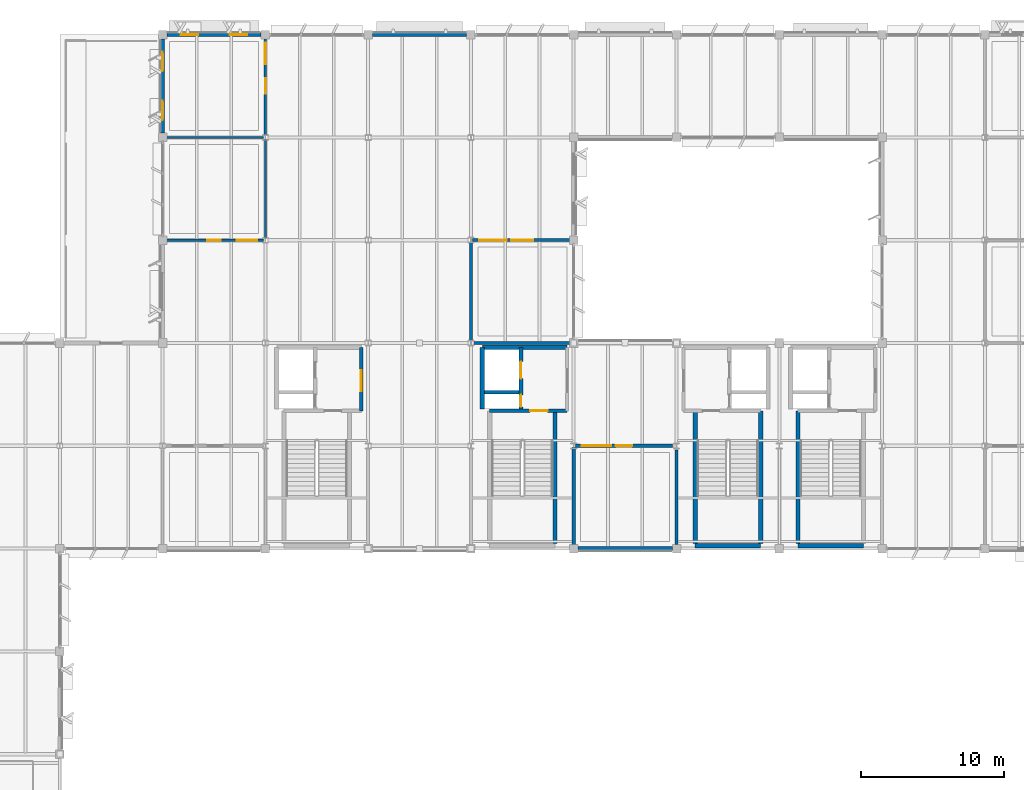
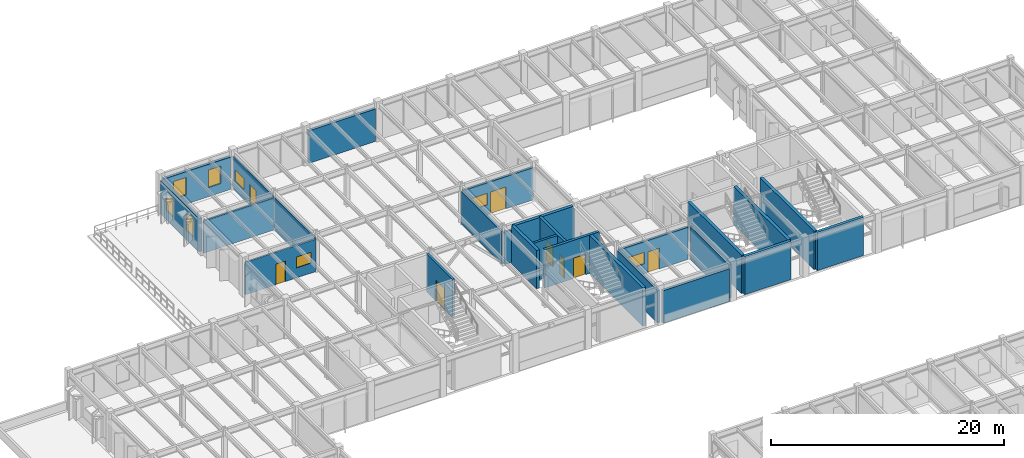
# One storey, part 40 of 85: 26 walls, 8 doors, 8 windows, 16 openings.
"""IFC4 building model written with IfcOpenShell, lengths in metres."""

from ifc_helpers import new_model, si_unit, direction, frame, frame_2d, origin, place, context, subcontext, project, spatial, rectangle, extrude, material, layer, layer_set, type_object, element, fill, save


model = new_model("IFC4")

# Units and contexts
model_context = context("Model", 3, precision=1e-05, world=origin(), true_north=direction((0.0, 1.0)))
body_context = subcontext(model_context, "Body", "Model", "MODEL_VIEW")
ifc_project = project(units=[si_unit("LENGTHUNIT", "METRE"), si_unit("AREAUNIT", "SQUARE_METRE"), si_unit("VOLUMEUNIT", "CUBIC_METRE"), si_unit("PLANEANGLEUNIT", "RADIAN"), si_unit("MASSUNIT", "GRAM", prefix="KILO")], contexts=[model_context])

# Site, building, storey
site_placement = place(None, origin())
site = spatial("IfcSite", under=ifc_project, at=site_placement, CompositionType="ELEMENT")
building_placement = place(site_placement, origin())
building = spatial("IfcBuilding", under=site, at=building_placement, Name="Sillqori Civic Hall", CompositionType="ELEMENT")
storey_placement = place(building_placement, frame((0.0, 0.0, 9.89990234375)))
storey = spatial("IfcBuildingStorey", under=building, at=storey_placement, Name="L03", CompositionType="ELEMENT", Elevation=9.89990234375)

# Wall, opening, door
ifc_material_1 = material(Name="Concrete C35/45 (H35)", Category="concrete")
ifc_layer_1 = layer(ifc_material_1, 0.219970703125)
ifc_layer_set_1 = layer_set([ifc_layer_1], Name="Concrete C35/45 (H35)")
wall_type_1 = type_object("IfcWallType", Name="CW-SHR-220", PredefinedType="SHEAR", material=ifc_layer_set_1)
wall_1_placement = place(storey_placement, frame((57.1201171875, 93.300048828125, 0.0), z_axis=(0.0, 0.0, 1.0), x_axis=(0.0, -1.0, 0.0)))
wall_1 = element("IfcWall", 1, at=wall_1_placement, inside=storey, type_object=wall_type_1, Name="L03 C5 firefighting lobby enclosure wall", PredefinedType="SHEAR", context=body_context, shape_type="SweptSolid", body=[
    extrude(rectangle(XDim=4.449951171875, YDim=0.219970703125, at=frame_2d((2.22509765625, 0.0))), origin(), (0.0, 0.0, 1.0), 4.02001953125),
])
opening_1_placement = place(wall_1_placement, frame((1.625, 0.0, 0.0)))
opening_1 = element("IfcOpeningElement", 2, at=opening_1_placement, cuts=wall_1, Name="Opening FD-03", PredefinedType="OPENING", context=body_context, shape_type="SweptSolid", body=[
    extrude(rectangle(XDim=1.449951171875, YDim=2.199951171875, at=frame_2d((0.72509765625, 1.10009765625))), frame((0.0, 0.119873046875, 0.0), z_axis=(0.0, -1.0, 0.0), x_axis=(1.0, 0.0, 0.0)), (0.0, 0.0, 1.0), 0.239990234375),
])
ifc_material_2 = material(Name="Double-Leaf Smoke-Seal Lobby Door", Category="steel")
door_type_1 = type_object("IfcDoorType", Name="FDR-LOB-145X220", OperationType="NOTDEFINED", PredefinedType="DOOR", material=ifc_material_2)
door_1_placement = place(opening_1_placement, origin())
door_1 = element("IfcDoor", 3, at=door_1_placement, inside=storey, type_object=door_type_1, Name="L03 C5 firefighting lobby exit door", OperationType="DOUBLE_DOOR_SINGLE_SWING", OverallHeight=2.199951171875, OverallWidth=1.449951171875, PredefinedType="DOOR", context=body_context, shape_type="SweptSolid", body=[
    extrude(rectangle(XDim=1.449951171875, YDim=2.199951171875, at=frame_2d((0.72509765625, 1.10009765625))), frame((0.0, 0.02490234375, 0.0), z_axis=(0.0, -1.0, 0.0), x_axis=(1.0, 0.0, 0.0)), (0.0, 0.0, 1.0), 0.050048828125),
])
fill(opening_1, door_1)

# Wall
wall_2_placement = place(storey_placement, frame((65.75, 90.14990234375, 0.0), z_axis=(0.0, 0.0, 1.0), x_axis=(1.0, 0.0, 0.0)))
element("IfcWall", 4, at=wall_2_placement, inside=storey, type_object=wall_type_1, Name="L03 C6 Lift-riser divider wall", PredefinedType="SHEAR", context=body_context, shape_type="SweptSolid", body=[
    extrude(rectangle(XDim=2.39990234375, YDim=0.219970703125, at=frame_2d((1.199951171875, 0.0))), origin(), (0.0, 0.0, 1.0), 4.02001953125),
])

# Wall, opening, door
ifc_layer_2 = layer(ifc_material_1, 0.260009765625)
ifc_layer_set_2 = layer_set([ifc_layer_2], Name="Concrete C35/45 (H35)")
wall_type_2 = type_object("IfcWallType", Name="CW-SHR-260", PredefinedType="SHEAR", material=ifc_layer_set_2)
wall_3_placement = place(storey_placement, frame((66.110107421875, 88.85009765625, 0.0), z_axis=(0.0, 0.0, 1.0), x_axis=(1.0, 0.0, 0.0)))
wall_3 = element("IfcWall", 5, at=wall_3_placement, inside=storey, type_object=wall_type_2, Name="L03 C6 Stair-lobby fire wall", PredefinedType="SHEAR", context=body_context, shape_type="SweptSolid", body=[
    extrude(rectangle(XDim=5.409912109375, YDim=0.260009765625, at=frame_2d((2.705078125, 0.0))), origin(), (0.0, 0.0, 1.0), 4.02001953125),
])
opening_2_placement = place(wall_3_placement, frame((2.840087890625, 0.0, 0.0)))
opening_2 = element("IfcOpeningElement", 6, at=opening_2_placement, cuts=wall_3, Name="Opening FD-02", PredefinedType="OPENING", context=body_context, shape_type="SweptSolid", body=[
    extrude(rectangle(XDim=1.219970703125, YDim=2.14990234375, at=frame_2d((0.60986328125, 1.074951171875))), frame((0.0, 0.139892578125, 0.0), z_axis=(0.0, -1.0, 0.0), x_axis=(1.0, 0.0, 0.0)), (0.0, 0.0, 1.0), 0.280029296875),
])
ifc_material_3 = material(Name="Galvanized Steel Fire Door FD120S", Category="steel")
door_type_2 = type_object("IfcDoorType", Name="FDR-STR-122X215", OperationType="NOTDEFINED", PredefinedType="DOOR", material=ifc_material_3)
door_2_placement = place(opening_2_placement, origin())
door_2 = element("IfcDoor", 7, at=door_2_placement, inside=storey, type_object=door_type_2, Name="L03 stair ST-06 fire door", OperationType="SINGLE_SWING_RIGHT", OverallHeight=2.14990234375, OverallWidth=1.219970703125, PredefinedType="DOOR", context=body_context, shape_type="SweptSolid", body=[
    extrude(rectangle(XDim=1.219970703125, YDim=2.14990234375, at=frame_2d((0.60986328125, 1.074951171875))), frame((0.0, 0.02490234375, 0.0), z_axis=(0.0, -1.0, 0.0), x_axis=(1.0, 0.0, 0.0)), (0.0, 0.0, 1.0), 0.050048828125),
])
fill(opening_2, door_2)

# Wall, openings, doors
wall_4_placement = place(storey_placement, frame((68.300048828125, 93.300048828125, 0.0), z_axis=(0.0, 0.0, 1.0), x_axis=(0.0, -1.0, 0.0)))
wall_4 = element("IfcWall", 8, at=wall_4_placement, inside=storey, type_object=wall_type_2, Name="L03 C6 Lift landing & riser front wall", PredefinedType="SHEAR", context=body_context, shape_type="SweptSolid", body=[
    extrude(rectangle(XDim=4.320068359375, YDim=0.260009765625, at=frame_2d((2.16015625, 0.0))), origin(), (0.0, 0.0, 1.0), 4.02001953125),
])
opening_3_placement = place(wall_4_placement, frame((1.0, 0.0, 0.0)))
opening_3 = element("IfcOpeningElement", 9, at=opening_3_placement, cuts=wall_4, Name="Opening LD-02", PredefinedType="OPENING", context=body_context, shape_type="SweptSolid", body=[
    extrude(rectangle(XDim=1.199951171875, YDim=2.14990234375, at=frame_2d((0.60009765625, 1.074951171875))), frame((0.0, 0.139892578125, 0.0), z_axis=(0.0, -1.0, 0.0), x_axis=(1.0, 0.0, 0.0)), (0.0, 0.0, 1.0), 0.280029296875),
])
opening_4_placement = place(wall_4_placement, frame((3.324951171875, 0.0, 0.0)))
opening_4 = element("IfcOpeningElement", 10, at=opening_4_placement, cuts=wall_4, Name="Opening FD-05", PredefinedType="OPENING", context=body_context, shape_type="SweptSolid", body=[
    extrude(rectangle(XDim=0.85009765625, YDim=2.050048828125, at=frame_2d((0.425048828125, 1.02490234375))), frame((0.0, 0.139892578125, 0.0), z_axis=(0.0, -1.0, 0.0), x_axis=(1.0, 0.0, 0.0)), (0.0, 0.0, 1.0), 0.280029296875),
])
ifc_material_4 = material(Name="Steel Riser Access Fire Door", Category="steel")
door_type_3 = type_object("IfcDoorType", Name="FDR-RSR-085X205", OperationType="NOTDEFINED", PredefinedType="DOOR", material=ifc_material_4)
door_3_placement = place(opening_4_placement, origin())
door_3 = element("IfcDoor", 11, at=door_3_placement, inside=storey, type_object=door_type_3, Name="L03 MEP riser C6 fire access door", OperationType="SINGLE_SWING_LEFT", OverallHeight=2.050048828125, OverallWidth=0.85009765625, PredefinedType="DOOR", context=body_context, shape_type="SweptSolid", body=[
    extrude(rectangle(XDim=0.85009765625, YDim=2.050048828125, at=frame_2d((0.425048828125, 1.02490234375))), frame((0.0, 0.02490234375, 0.0), z_axis=(0.0, -1.0, 0.0), x_axis=(1.0, 0.0, 0.0)), (0.0, 0.0, 1.0), 0.050048828125),
])
fill(opening_4, door_3)
ifc_material_5 = material(Name="Firefighting Lift Landing Door", Category="steel")
door_type_4 = type_object("IfcDoorType", Name="LDR-FIRE-120X215", OperationType="NOTDEFINED", PredefinedType="DOOR", material=ifc_material_5)
door_4_placement = place(opening_3_placement, origin())
door_4 = element("IfcDoor", 12, at=door_4_placement, inside=storey, type_object=door_type_4, Name="L03 lift LF-01 sliding landing door", OperationType="DOUBLE_DOOR_SLIDING", OverallHeight=2.14990234375, OverallWidth=1.199951171875, PredefinedType="DOOR", context=body_context, shape_type="SweptSolid", body=[
    extrude(rectangle(XDim=1.199951171875, YDim=2.14990234375, at=frame_2d((0.60009765625, 1.074951171875))), frame((0.0, 0.02490234375, 0.0), z_axis=(0.0, -1.0, 0.0), x_axis=(1.0, 0.0, 0.0)), (0.0, 0.0, 1.0), 0.050048828125),
])
fill(opening_3, door_4)

# Walls
ifc_layer_3 = layer(ifc_material_1, 0.300048828125)
ifc_layer_set_3 = layer_set([ifc_layer_3], Name="Concrete C35/45 (H35)")
wall_type_3 = type_object("IfcWallType", Name="CW-SHR-300", PredefinedType="SHEAR", material=ifc_layer_set_3)
wall_5_placement = place(storey_placement, frame((70.68994140625, 79.550048828125, 0.0), z_axis=(0.0, 0.0, 1.0), x_axis=(0.0, 1.0, 0.0)))
element("IfcWall", 13, at=wall_5_placement, inside=storey, type_object=wall_type_3, Name="L03 C6 Stair east shear wall", PredefinedType="SHEAR", context=body_context, shape_type="SweptSolid", body=[
    extrude(rectangle(XDim=9.300048828125, YDim=0.300048828125, at=frame_2d((4.64990234375, 0.0))), origin(), (0.0, 0.0, 1.0), 4.02001953125),
])
wall_6_placement = place(storey_placement, frame((65.60009765625, 88.97998046875, 0.0), z_axis=(0.0, 0.0, 1.0), x_axis=(0.0, 1.0, 0.0)))
element("IfcWall", 14, at=wall_6_placement, inside=storey, type_object=wall_type_3, Name="L03 C6 Lift shaft west shear wall", PredefinedType="SHEAR", context=body_context, shape_type="SweptSolid", body=[
    extrude(rectangle(XDim=4.320068359375, YDim=0.300048828125, at=frame_2d((2.16015625, 0.0))), origin(), (0.0, 0.0, 1.0), 4.02001953125),
])
wall_7_placement = place(storey_placement, frame((65.60009765625, 93.300048828125, 0.0), z_axis=(0.0, 0.0, 1.0), x_axis=(1.0, 0.0, 0.0)))
element("IfcWall", 15, at=wall_7_placement, inside=storey, type_object=wall_type_3, Name="L03 C6 Core north shear wall", PredefinedType="SHEAR", context=body_context, shape_type="SweptSolid", body=[
    extrude(rectangle(XDim=5.919921875, YDim=0.300048828125, at=frame_2d((2.9599609375, 0.0))), origin(), (0.0, 0.0, 1.0), 4.02001953125),
])
wall_8_placement = place(storey_placement, frame((80.510009765625, 79.39990234375, 0.0), z_axis=(0.0, 0.0, 1.0), x_axis=(1.0, 0.0, 0.0)))
element("IfcWall", 16, at=wall_8_placement, inside=storey, type_object=wall_type_3, Name="L03 C7 Stair south shear wall", PredefinedType="SHEAR", context=body_context, shape_type="SweptSolid", body=[
    extrude(rectangle(XDim=4.580078125, YDim=0.300048828125, at=frame_2d((2.2900390625, 0.0))), origin(), (0.0, 0.0, 1.0), 4.02001953125),
])
for number, where, z_axis, x_axis, name in (
    (17, (80.510009765625, 79.550048828125, 0.0), (0.0, 0.0, 1.0), (0.0, 1.0, 0.0), "L03 C7 Stair west shear wall"),
    (18, (85.090087890625, 79.550048828125, 0.0), (0.0, 0.0, 1.0), (0.0, 1.0, 0.0), "L03 C7 Stair east shear wall"),
):
    element("IfcWall", number, at=place(storey_placement, frame(where, z_axis=z_axis, x_axis=x_axis)), inside=storey, type_object=wall_type_3, Name=name, PredefinedType="SHEAR", context=body_context, shape_type="SweptSolid", body=[
        extrude(rectangle(XDim=9.300048828125, YDim=0.300048828125, at=frame_2d((4.64990234375, 0.0))), origin(), (0.0, 0.0, 1.0), 4.02001953125),
    ])
wall_9_placement = place(storey_placement, frame((87.7099609375, 79.39990234375, 0.0), z_axis=(0.0, 0.0, 1.0), x_axis=(1.0, 0.0, 0.0)))
element("IfcWall", 19, at=wall_9_placement, inside=storey, type_object=wall_type_3, Name="L03 C8 Stair south shear wall", PredefinedType="SHEAR", context=body_context, shape_type="SweptSolid", body=[
    extrude(rectangle(XDim=4.580078125, YDim=0.300048828125, at=frame_2d((2.2900390625, 0.0))), origin(), (0.0, 0.0, 1.0), 4.02001953125),
])
wall_10_placement = place(storey_placement, frame((87.7099609375, 79.550048828125, 0.0), z_axis=(0.0, 0.0, 1.0), x_axis=(0.0, 1.0, 0.0)))
element("IfcWall", 20, at=wall_10_placement, inside=storey, type_object=wall_type_3, Name="L03 C8 Stair west shear wall", PredefinedType="SHEAR", context=body_context, shape_type="SweptSolid", body=[
    extrude(rectangle(XDim=9.300048828125, YDim=0.300048828125, at=frame_2d((4.64990234375, 0.0))), origin(), (0.0, 0.0, 1.0), 4.02001953125),
])

# Wall, openings, windows
ifc_material_6 = material(Name="Precast concrete C40/50 (H40)", Category="concrete")
ifc_layer_4 = layer(ifc_material_6, 0.280029296875)
ifc_layer_set_4 = layer_set([ifc_layer_4], Name="Precast concrete C40/50 (H40)")
wall_type_4 = type_object("IfcWallType", Name="EW-LIME-280", PredefinedType="SOLIDWALL", material=ifc_layer_set_4)
wall_11_placement = place(storey_placement, frame((43.5, 115.199951171875, 0.0), z_axis=(0.0, 0.0, 1.0), x_axis=(1.0, 0.0, 0.0)))
wall_11 = element("IfcWall", 21, at=wall_11_placement, inside=storey, type_object=wall_type_4, Name="L03 V4 exterior wall L03-06-15-N", PredefinedType="SOLIDWALL", context=body_context, shape_type="SweptSolid", body=[
    extrude(rectangle(XDim=6.60009765625, YDim=0.280029296875, at=frame_2d((3.300048828125, 0.0))), origin(), (0.0, 0.0, 1.0), 3.418212890625),
])
opening_5_placement = place(wall_11_placement, frame((0.958984375, 0.0, 0.949951171875)))
opening_5 = element("IfcOpeningElement", 22, at=opening_5_placement, cuts=wall_11, Name="Opening W-41", PredefinedType="OPENING", context=body_context, shape_type="SweptSolid", body=[
    extrude(rectangle(XDim=1.25, YDim=1.85009765625, at=frame_2d((0.625, 0.925048828125))), frame((0.0, 0.14990234375, 0.0), z_axis=(0.0, -1.0, 0.0), x_axis=(1.0, 0.0, 0.0)), (0.0, 0.0, 1.0), 0.300048828125),
])
opening_6_placement = place(wall_11_placement, frame((4.39111328125, 0.0, 0.949951171875)))
opening_6 = element("IfcOpeningElement", 23, at=opening_6_placement, cuts=wall_11, Name="Opening W-41", PredefinedType="OPENING", context=body_context, shape_type="SweptSolid", body=[
    extrude(rectangle(XDim=1.25, YDim=1.85009765625, at=frame_2d((0.625, 0.925048828125))), frame((0.0, 0.14990234375, 0.0), z_axis=(0.0, -1.0, 0.0), x_axis=(1.0, 0.0, 0.0)), (0.0, 0.0, 1.0), 0.300048828125),
])
ifc_material_7 = material(Name="Thermally Broken Aluminium Low-E Window", Category="aluminium")
window_type_1 = type_object("IfcWindowType", Name="WIN-GD-125X185", PartitioningType="SINGLE_PANEL", PredefinedType="WINDOW", material=ifc_material_7)
window_1_placement = place(opening_5_placement, origin())
window_1 = element("IfcWindow", 24, at=window_1_placement, inside=storey, type_object=window_type_1, Name="L03 V4 window L03-06-15-N.1", OverallHeight=1.85009765625, OverallWidth=1.25, PartitioningType="SINGLE_PANEL", PredefinedType="WINDOW", context=body_context, shape_type="SweptSolid", body=[
    extrude(rectangle(XDim=1.25, YDim=1.85009765625, at=frame_2d((0.625, 0.925048828125))), frame((0.0, 0.030029296875, 0.0), z_axis=(0.0, -1.0, 0.0), x_axis=(1.0, 0.0, 0.0)), (0.0, 0.0, 1.0), 0.06005859375),
])
fill(opening_5, window_1)
window_2_placement = place(opening_6_placement, origin())
window_2 = element("IfcWindow", 25, at=window_2_placement, inside=storey, type_object=window_type_1, Name="L03 V4 window L03-06-15-N.2", OverallHeight=1.85009765625, OverallWidth=1.25, PartitioningType="SINGLE_PANEL", PredefinedType="WINDOW", context=body_context, shape_type="SweptSolid", body=[
    extrude(rectangle(XDim=1.25, YDim=1.85009765625, at=frame_2d((0.625, 0.925048828125))), frame((0.0, 0.030029296875, 0.0), z_axis=(0.0, -1.0, 0.0), x_axis=(1.0, 0.0, 0.0)), (0.0, 0.0, 1.0), 0.06005859375),
])
fill(opening_6, window_2)

wall_12_placement = place(storey_placement, frame((43.199951171875, 108.300048828125, 0.0), z_axis=(0.0, 0.0, 1.0), x_axis=(0.0, 1.0, 0.0)))
wall_12 = element("IfcWall", 26, at=wall_12_placement, inside=storey, type_object=wall_type_4, Name="L03 V4 exterior wall L03-06-15-W", PredefinedType="SOLIDWALL", context=body_context, shape_type="SweptSolid", body=[
    extrude(rectangle(XDim=6.599853515625, YDim=0.280029296875, at=frame_2d((3.2998046875, 0.0))), origin(), (0.0, 0.0, 1.0), 3.487060546875),
])
opening_7_placement = place(wall_12_placement, frame((0.908935546875, 0.0, 0.949951171875)))
opening_7 = element("IfcOpeningElement", 27, at=opening_7_placement, cuts=wall_12, Name="Opening W-42", PredefinedType="OPENING", context=body_context, shape_type="SweptSolid", body=[
    extrude(rectangle(XDim=1.35009765625, YDim=1.85009765625, at=frame_2d((0.675048828125, 0.925048828125))), frame((0.0, 0.14990234375, 0.0), z_axis=(0.0, -1.0, 0.0), x_axis=(1.0, 0.0, 0.0)), (0.0, 0.0, 1.0), 0.300048828125),
])
opening_8_placement = place(wall_12_placement, frame((4.341064453125, 0.0, 0.949951171875)))
opening_8 = element("IfcOpeningElement", 28, at=opening_8_placement, cuts=wall_12, Name="Opening W-42", PredefinedType="OPENING", context=body_context, shape_type="SweptSolid", body=[
    extrude(rectangle(XDim=1.35009765625, YDim=1.85009765625, at=frame_2d((0.675048828125, 0.925048828125))), frame((0.0, 0.14990234375, 0.0), z_axis=(0.0, -1.0, 0.0), x_axis=(1.0, 0.0, 0.0)), (0.0, 0.0, 1.0), 0.300048828125),
])
window_type_2 = type_object("IfcWindowType", Name="WIN-GD-135X185", PartitioningType="SINGLE_PANEL", PredefinedType="WINDOW", material=ifc_material_7)
window_3_placement = place(opening_7_placement, origin())
window_3 = element("IfcWindow", 29, at=window_3_placement, inside=storey, type_object=window_type_2, Name="L03 V4 window L03-06-15-W.1", OverallHeight=1.85009765625, OverallWidth=1.35009765625, PartitioningType="SINGLE_PANEL", PredefinedType="WINDOW", context=body_context, shape_type="SweptSolid", body=[
    extrude(rectangle(XDim=1.35009765625, YDim=1.85009765625, at=frame_2d((0.675048828125, 0.925048828125))), frame((0.0, 0.030029296875, 0.0), z_axis=(0.0, -1.0, 0.0), x_axis=(1.0, 0.0, 0.0)), (0.0, 0.0, 1.0), 0.06005859375),
])
fill(opening_7, window_3)
window_4_placement = place(opening_8_placement, origin())
window_4 = element("IfcWindow", 30, at=window_4_placement, inside=storey, type_object=window_type_2, Name="L03 V4 window L03-06-15-W.2", OverallHeight=1.85009765625, OverallWidth=1.35009765625, PartitioningType="SINGLE_PANEL", PredefinedType="WINDOW", context=body_context, shape_type="SweptSolid", body=[
    extrude(rectangle(XDim=1.35009765625, YDim=1.85009765625, at=frame_2d((0.675048828125, 0.925048828125))), frame((0.0, 0.030029296875, 0.0), z_axis=(0.0, -1.0, 0.0), x_axis=(1.0, 0.0, 0.0)), (0.0, 0.0, 1.0), 0.06005859375),
])
fill(opening_8, window_4)

# Walls
wall_13_placement = place(storey_placement, frame((57.89990234375, 115.199951171875, 0.0), z_axis=(0.0, 0.0, 1.0), x_axis=(1.0, 0.0, 0.0)))
element("IfcWall", 31, at=wall_13_placement, inside=storey, type_object=wall_type_4, Name="L03 V4 exterior wall L03-08-15-N", PredefinedType="SOLIDWALL", context=body_context, shape_type="SweptSolid", body=[
    extrude(rectangle(XDim=6.60009765625, YDim=0.280029296875, at=frame_2d((3.300048828125, 0.0))), origin(), (0.0, 0.0, 1.0), 3.418212890625),
])
wall_14_placement = place(storey_placement, frame((78.89990234375, 79.199951171875, 0.0), z_axis=(0.0, 0.0, 1.0), x_axis=(-1.0, 0.0, 0.0)))
element("IfcWall", 32, at=wall_14_placement, inside=storey, type_object=wall_type_4, Name="L03 V4 exterior wall L03-10-11-S", PredefinedType="SOLIDWALL", context=body_context, shape_type="SweptSolid", body=[
    extrude(rectangle(XDim=6.599853515625, YDim=0.280029296875, at=frame_2d((3.2998046875, 0.0))), origin(), (0.0, 0.0, 1.0), 3.418212890625),
])

# Wall, openings, door, window
ifc_material_8 = material(Name="Hearing Acoustic Partition 154", Category="gypsum")
ifc_layer_5 = layer(ifc_material_8, 0.154052734375)
ifc_layer_set_5 = layer_set([ifc_layer_5], Name="Hearing Acoustic Partition 154")
wall_type_5 = type_object("IfcWallType", Name="PT-GYP-154", PredefinedType="PARTITIONING", material=ifc_layer_set_5)
wall_15_placement = place(storey_placement, frame((50.280029296875, 100.800048828125, 0.0), z_axis=(0.0, 0.0, 1.0), x_axis=(-1.0, 0.0, 0.0)))
wall_15 = element("IfcWall", 33, at=wall_15_placement, inside=storey, type_object=wall_type_5, Name="Civil Engineering and Drainage Directorate partition S1", PredefinedType="PARTITIONING", context=body_context, shape_type="SweptSolid", body=[
    extrude(rectangle(XDim=6.9599609375, YDim=0.154052734375, at=frame_2d((3.47998046875, 0.0))), origin(), (0.0, 0.0, 1.0), 3.408203125),
])
opening_9_placement = place(wall_15_placement, frame((3.0048828125, 0.0, 0.0)))
opening_9 = element("IfcOpeningElement", 34, at=opening_9_placement, cuts=wall_15, Name="Opening ID-15", PredefinedType="OPENING", context=body_context, shape_type="SweptSolid", body=[
    extrude(rectangle(XDim=0.949951171875, YDim=2.14990234375, at=frame_2d((0.47509765625, 1.074951171875))), frame((0.0, 0.0869140625, 0.0), z_axis=(0.0, -1.0, 0.0), x_axis=(1.0, 0.0, 0.0)), (0.0, 0.0, 1.0), 0.174072265625),
])
opening_10_placement = place(wall_15_placement, frame((0.449951171875, 0.0, 1.050048828125)))
opening_10 = element("IfcOpeningElement", 35, at=opening_10_placement, cuts=wall_15, Name="Opening IW-09", PredefinedType="OPENING", context=body_context, shape_type="SweptSolid", body=[
    extrude(rectangle(XDim=1.449951171875, YDim=1.14990234375, at=frame_2d((0.72509765625, 0.574951171875))), frame((0.0, 0.0869140625, 0.0), z_axis=(0.0, -1.0, 0.0), x_axis=(1.0, 0.0, 0.0)), (0.0, 0.0, 1.0), 0.174072265625),
])
ifc_material_9 = material(Name="Directorate Office Door 950", Category="timber")
door_type_5 = type_object("IfcDoorType", Name="IDR-OFF-095X215", OperationType="NOTDEFINED", PredefinedType="DOOR", material=ifc_material_9)
door_5_placement = place(opening_9_placement, origin())
door_5 = element("IfcDoor", 36, at=door_5_placement, inside=storey, type_object=door_type_5, Name="Civil Engineering and Drainage Directorate entrance door", OperationType="SINGLE_SWING_LEFT", OverallHeight=2.14990234375, OverallWidth=0.949951171875, PredefinedType="DOOR", context=body_context, shape_type="SweptSolid", body=[
    extrude(rectangle(XDim=0.949951171875, YDim=2.14990234375, at=frame_2d((0.47509765625, 1.074951171875))), frame((0.0, 0.02490234375, 0.0), z_axis=(0.0, -1.0, 0.0), x_axis=(1.0, 0.0, 0.0)), (0.0, 0.0, 1.0), 0.050048828125),
])
fill(opening_9, door_5)
ifc_material_10 = material(Name="Acoustic Laminated Interior Clerestory Glazing", Category="glass")
window_type_3 = type_object("IfcWindowType", Name="IWN-STU-145X115", PartitioningType="SINGLE_PANEL", PredefinedType="WINDOW", material=ifc_material_10)
window_5_placement = place(opening_10_placement, origin())
window_5 = element("IfcWindow", 37, at=window_5_placement, inside=storey, type_object=window_type_3, Name="Civil Engineering and Drainage Directorate borrowed-light screen", OverallHeight=1.14990234375, OverallWidth=1.449951171875, PartitioningType="SINGLE_PANEL", PredefinedType="WINDOW", context=body_context, shape_type="SweptSolid", body=[
    extrude(rectangle(XDim=1.449951171875, YDim=1.14990234375, at=frame_2d((0.72509765625, 0.574951171875))), frame((0.0, 0.030029296875, 0.0), z_axis=(0.0, -1.0, 0.0), x_axis=(1.0, 0.0, 0.0)), (0.0, 0.0, 1.0), 0.06005859375),
])
fill(opening_10, window_5)

# Walls
for number, where, z_axis, x_axis, name in (
    (38, (43.320068359375, 108.0, 0.0), (0.0, 0.0, 1.0), (1.0, 0.0, 0.0), "Civil Engineering and Drainage Directorate partition N2"),
    (39, (50.39990234375, 107.8798828125, 0.0), (0.0, 0.0, 1.0), (0.0, -1.0, 0.0), "Civil Engineering and Drainage Directorate partition E3"),
):
    element("IfcWall", number, at=place(storey_placement, frame(where, z_axis=z_axis, x_axis=x_axis)), inside=storey, type_object=wall_type_5, Name=name, PredefinedType="PARTITIONING", context=body_context, shape_type="SweptSolid", body=[
        extrude(rectangle(XDim=6.9599609375, YDim=0.154052734375, at=frame_2d((3.47998046875, 0.0))), origin(), (0.0, 0.0, 1.0), 3.408203125),
    ])

# Wall, openings, door, window
ifc_material_11 = material(Name="Hearing Acoustic Partition 158", Category="gypsum")
ifc_layer_6 = layer(ifc_material_11, 0.157958984375)
ifc_layer_set_6 = layer_set([ifc_layer_6], Name="Hearing Acoustic Partition 158")
wall_type_6 = type_object("IfcWallType", Name="PT-GYP-158", PredefinedType="PARTITIONING", material=ifc_layer_set_6)
wall_16_placement = place(storey_placement, frame((50.39990234375, 115.080078125, 0.0), z_axis=(0.0, 0.0, 1.0), x_axis=(0.0, -1.0, 0.0)))
wall_16 = element("IfcWall", 40, at=wall_16_placement, inside=storey, type_object=wall_type_6, Name="Public Works Project Management Office partition E1", PredefinedType="PARTITIONING", context=body_context, shape_type="SweptSolid", body=[
    extrude(rectangle(XDim=6.9599609375, YDim=0.157958984375, at=frame_2d((3.47998046875, 0.0))), origin(), (0.0, 0.0, 1.0), 3.408203125),
])
opening_11_placement = place(wall_16_placement, frame((2.93994140625, 0.0, 0.0)))
opening_11 = element("IfcOpeningElement", 41, at=opening_11_placement, cuts=wall_16, Name="Opening ID-16", PredefinedType="OPENING", context=body_context, shape_type="SweptSolid", body=[
    extrude(rectangle(XDim=1.080078125, YDim=2.199951171875, at=frame_2d((0.5400390625, 1.10009765625))), frame((0.0, 0.0888671875, 0.0), z_axis=(0.0, -1.0, 0.0), x_axis=(1.0, 0.0, 0.0)), (0.0, 0.0, 1.0), 0.177978515625),
])
opening_12_placement = place(wall_16_placement, frame((0.449951171875, 0.0, 1.050048828125)))
opening_12 = element("IfcOpeningElement", 42, at=opening_12_placement, cuts=wall_16, Name="Opening IW-10", PredefinedType="OPENING", context=body_context, shape_type="SweptSolid", body=[
    extrude(rectangle(XDim=1.5, YDim=1.14990234375, at=frame_2d((0.75, 0.574951171875))), frame((0.0, 0.0888671875, 0.0), z_axis=(0.0, -1.0, 0.0), x_axis=(1.0, 0.0, 0.0)), (0.0, 0.0, 1.0), 0.177978515625),
])
ifc_material_12 = material(Name="Senior Counsel Office Door 1080", Category="timber")
door_type_6 = type_object("IfcDoorType", Name="IDR-OFF-108X220", OperationType="NOTDEFINED", PredefinedType="DOOR", material=ifc_material_12)
door_6_placement = place(opening_11_placement, origin())
door_6 = element("IfcDoor", 43, at=door_6_placement, inside=storey, type_object=door_type_6, Name="Public Works Project Management Office entrance door", OperationType="SINGLE_SWING_RIGHT", OverallHeight=2.199951171875, OverallWidth=1.080078125, PredefinedType="DOOR", context=body_context, shape_type="SweptSolid", body=[
    extrude(rectangle(XDim=1.080078125, YDim=2.199951171875, at=frame_2d((0.5400390625, 1.10009765625))), frame((0.0, 0.02490234375, 0.0), z_axis=(0.0, -1.0, 0.0), x_axis=(1.0, 0.0, 0.0)), (0.0, 0.0, 1.0), 0.050048828125),
])
fill(opening_11, door_6)
window_type_4 = type_object("IfcWindowType", Name="IWN-STU-150X115", PartitioningType="SINGLE_PANEL", PredefinedType="WINDOW", material=ifc_material_10)
window_6_placement = place(opening_12_placement, origin())
window_6 = element("IfcWindow", 44, at=window_6_placement, inside=storey, type_object=window_type_4, Name="Public Works Project Management Office borrowed-light screen", OverallHeight=1.14990234375, OverallWidth=1.5, PartitioningType="SINGLE_PANEL", PredefinedType="WINDOW", context=body_context, shape_type="SweptSolid", body=[
    extrude(rectangle(XDim=1.5, YDim=1.14990234375, at=frame_2d((0.75, 0.574951171875))), frame((0.0, 0.030029296875, 0.0), z_axis=(0.0, -1.0, 0.0), x_axis=(1.0, 0.0, 0.0)), (0.0, 0.0, 1.0), 0.06005859375),
])
fill(opening_12, window_6)

ifc_material_13 = material(Name="Concrete C25/30 (H25)", Category="concrete")
ifc_layer_7 = layer(ifc_material_13, 0.2119140625)
ifc_layer_set_7 = layer_set([ifc_layer_7], Name="Concrete C25/30 (H25)")
wall_type_7 = type_object("IfcWallType", Name="PT-MAS-212", PredefinedType="PARTITIONING", material=ifc_layer_set_7)
wall_17_placement = place(storey_placement, frame((64.919921875, 100.800048828125, 0.0), z_axis=(0.0, 0.0, 1.0), x_axis=(1.0, 0.0, 0.0)))
wall_17 = element("IfcWall", 45, at=wall_17_placement, inside=storey, type_object=wall_type_7, Name="Municipal Staff Reference Lounge partition N1", PredefinedType="PARTITIONING", context=body_context, shape_type="SweptSolid", body=[
    extrude(rectangle(XDim=6.9599609375, YDim=0.2119140625, at=frame_2d((3.47998046875, 0.0))), origin(), (0.0, 0.0, 1.0), 3.408203125),
])
opening_13_placement = place(wall_17_placement, frame((2.705078125, 0.0, 0.0)))
opening_13 = element("IfcOpeningElement", 46, at=opening_13_placement, cuts=wall_17, Name="Opening ID-08", PredefinedType="OPENING", context=body_context, shape_type="SweptSolid", body=[
    extrude(rectangle(XDim=1.550048828125, YDim=2.300048828125, at=frame_2d((0.77490234375, 1.14990234375))), frame((0.0, 0.115966796875, 0.0), z_axis=(0.0, -1.0, 0.0), x_axis=(1.0, 0.0, 0.0)), (0.0, 0.0, 1.0), 0.23193359375),
])
opening_14_placement = place(wall_17_placement, frame((0.449951171875, 0.0, 1.050048828125)))
opening_14 = element("IfcOpeningElement", 47, at=opening_14_placement, cuts=wall_17, Name="Opening IW-17", PredefinedType="OPENING", context=body_context, shape_type="SweptSolid", body=[
    extrude(rectangle(XDim=1.949951171875, YDim=1.219970703125, at=frame_2d((0.97509765625, 0.60986328125))), frame((0.0, 0.115966796875, 0.0), z_axis=(0.0, -1.0, 0.0), x_axis=(1.0, 0.0, 0.0)), (0.0, 0.0, 1.0), 0.23193359375),
])
ifc_material_14 = material(Name="Community Room Double Leaf Door", Category="timber")
door_type_7 = type_object("IfcDoorType", Name="IDR-CMY-155X230", OperationType="NOTDEFINED", PredefinedType="DOOR", material=ifc_material_14)
door_7_placement = place(opening_13_placement, origin())
door_7 = element("IfcDoor", 48, at=door_7_placement, inside=storey, type_object=door_type_7, Name="Municipal Staff Reference Lounge entrance door", OperationType="DOUBLE_DOOR_SINGLE_SWING", OverallHeight=2.300048828125, OverallWidth=1.550048828125, PredefinedType="DOOR", context=body_context, shape_type="SweptSolid", body=[
    extrude(rectangle(XDim=1.550048828125, YDim=2.300048828125, at=frame_2d((0.77490234375, 1.14990234375))), frame((0.0, 0.02490234375, 0.0), z_axis=(0.0, -1.0, 0.0), x_axis=(1.0, 0.0, 0.0)), (0.0, 0.0, 1.0), 0.050048828125),
])
fill(opening_13, door_7)
window_type_5 = type_object("IfcWindowType", Name="IWN-STU-195X122", PartitioningType="SINGLE_PANEL", PredefinedType="WINDOW", material=ifc_material_10)
window_7_placement = place(opening_14_placement, origin())
window_7 = element("IfcWindow", 49, at=window_7_placement, inside=storey, type_object=window_type_5, Name="Municipal Staff Reference Lounge borrowed-light screen", OverallHeight=1.219970703125, OverallWidth=1.949951171875, PartitioningType="SINGLE_PANEL", PredefinedType="WINDOW", context=body_context, shape_type="SweptSolid", body=[
    extrude(rectangle(XDim=1.949951171875, YDim=1.219970703125, at=frame_2d((0.97509765625, 0.60986328125))), frame((0.0, 0.030029296875, 0.0), z_axis=(0.0, -1.0, 0.0), x_axis=(1.0, 0.0, 0.0)), (0.0, 0.0, 1.0), 0.06005859375),
])
fill(opening_14, window_7)

# Walls
for number, where, z_axis, x_axis, name in (
    (50, (71.8798828125, 93.60009765625, 0.0), (0.0, 0.0, 1.0), (-1.0, 0.0, 0.0), "Municipal Staff Reference Lounge partition S2"),
    (51, (64.800048828125, 93.719970703125, 0.0), (0.0, 0.0, 1.0), (0.0, 1.0, 0.0), "Municipal Staff Reference Lounge partition W3"),
):
    element("IfcWall", number, at=place(storey_placement, frame(where, z_axis=z_axis, x_axis=x_axis)), inside=storey, type_object=wall_type_7, Name=name, PredefinedType="PARTITIONING", context=body_context, shape_type="SweptSolid", body=[
        extrude(rectangle(XDim=6.9599609375, YDim=0.2119140625, at=frame_2d((3.47998046875, 0.0))), origin(), (0.0, 0.0, 1.0), 3.408203125),
    ])

# Wall, openings, door, window
ifc_layer_8 = layer(ifc_material_13, 0.22802734375)
ifc_layer_set_8 = layer_set([ifc_layer_8], Name="Concrete C25/30 (H25)")
wall_type_8 = type_object("IfcWallType", Name="PT-MAS-228", PredefinedType="PARTITIONING", material=ifc_layer_set_8)
wall_18_placement = place(storey_placement, frame((72.1201171875, 86.39990234375, 0.0), z_axis=(0.0, 0.0, 1.0), x_axis=(1.0, 0.0, 0.0)))
wall_18 = element("IfcWall", 52, at=wall_18_placement, inside=storey, type_object=wall_type_8, Name="Urban Planning Masterplan Studio L03-05 partition N1", PredefinedType="PARTITIONING", context=body_context, shape_type="SweptSolid", body=[
    extrude(rectangle(XDim=6.7998046875, YDim=0.22802734375, at=frame_2d((3.39990234375, 0.0))), origin(), (0.0, 0.0, 1.0), 3.408203125),
])
opening_15_placement = place(wall_18_placement, frame((2.830078125, 0.0, 0.0)))
opening_15 = element("IfcOpeningElement", 53, at=opening_15_placement, cuts=wall_18, Name="Opening ID-27", PredefinedType="OPENING", context=body_context, shape_type="SweptSolid", body=[
    extrude(rectangle(XDim=1.139892578125, YDim=2.179931640625, at=frame_2d((0.56982421875, 1.08984375))), frame((0.0, 0.1240234375, 0.0), z_axis=(0.0, -1.0, 0.0), x_axis=(1.0, 0.0, 0.0)), (0.0, 0.0, 1.0), 0.248046875),
])
opening_16_placement = place(wall_18_placement, frame((0.449951171875, 0.0, 1.050048828125)))
opening_16 = element("IfcOpeningElement", 54, at=opening_16_placement, cuts=wall_18, Name="Opening IW-18", PredefinedType="OPENING", context=body_context, shape_type="SweptSolid", body=[
    extrude(rectangle(XDim=2.050048828125, YDim=1.219970703125, at=frame_2d((1.02490234375, 0.60986328125))), frame((0.0, 0.1240234375, 0.0), z_axis=(0.0, -1.0, 0.0), x_axis=(1.0, 0.0, 0.0)), (0.0, 0.0, 1.0), 0.248046875),
])
ifc_material_15 = material(Name="Directorate Cedar Door 1140", Category="timber")
door_type_8 = type_object("IfcDoorType", Name="IDR-DIR-114X218", OperationType="NOTDEFINED", PredefinedType="DOOR", material=ifc_material_15)
door_8_placement = place(opening_15_placement, origin())
door_8 = element("IfcDoor", 55, at=door_8_placement, inside=storey, type_object=door_type_8, Name="Urban Planning Masterplan Studio L03-05 entrance door", OperationType="SINGLE_SWING_RIGHT", OverallHeight=2.179931640625, OverallWidth=1.139892578125, PredefinedType="DOOR", context=body_context, shape_type="SweptSolid", body=[
    extrude(rectangle(XDim=1.139892578125, YDim=2.179931640625, at=frame_2d((0.56982421875, 1.08984375))), frame((0.0, 0.02490234375, 0.0), z_axis=(0.0, -1.0, 0.0), x_axis=(1.0, 0.0, 0.0)), (0.0, 0.0, 1.0), 0.050048828125),
])
fill(opening_15, door_8)
window_type_6 = type_object("IfcWindowType", Name="IWN-STU-205X122", PartitioningType="SINGLE_PANEL", PredefinedType="WINDOW", material=ifc_material_10)
window_8_placement = place(opening_16_placement, origin())
window_8 = element("IfcWindow", 56, at=window_8_placement, inside=storey, type_object=window_type_6, Name="Urban Planning Masterplan Studio L03-05 borrowed-light screen", OverallHeight=1.219970703125, OverallWidth=2.050048828125, PartitioningType="SINGLE_PANEL", PredefinedType="WINDOW", context=body_context, shape_type="SweptSolid", body=[
    extrude(rectangle(XDim=2.050048828125, YDim=1.219970703125, at=frame_2d((1.02490234375, 0.60986328125))), frame((0.0, 0.030029296875, 0.0), z_axis=(0.0, -1.0, 0.0), x_axis=(1.0, 0.0, 0.0)), (0.0, 0.0, 1.0), 0.06005859375),
])
fill(opening_16, window_8)

# Walls
wall_19_placement = place(storey_placement, frame((72.0, 79.320068359375, 0.0), z_axis=(0.0, 0.0, 1.0), x_axis=(0.0, 1.0, 0.0)))
element("IfcWall", 57, at=wall_19_placement, inside=storey, type_object=wall_type_8, Name="Urban Planning Masterplan Studio L03-05 partition W2", PredefinedType="PARTITIONING", context=body_context, shape_type="SweptSolid", body=[
    extrude(rectangle(XDim=6.9599609375, YDim=0.22802734375, at=frame_2d((3.47998046875, 0.0))), origin(), (0.0, 0.0, 1.0), 3.408203125),
])
wall_20_placement = place(storey_placement, frame((79.199951171875, 86.1201171875, 0.0), z_axis=(0.0, 0.0, 1.0), x_axis=(0.0, -1.0, 0.0)))
element("IfcWall", 58, at=wall_20_placement, inside=storey, type_object=wall_type_8, Name="Urban Planning Masterplan Studio L03-05 partition E3", PredefinedType="PARTITIONING", context=body_context, shape_type="SweptSolid", body=[
    extrude(rectangle(XDim=6.64013671875, YDim=0.22802734375, at=frame_2d((3.320068359375, 0.0))), origin(), (0.0, 0.0, 1.0), 3.47705078125),
])

save(model, "model.ifc")
